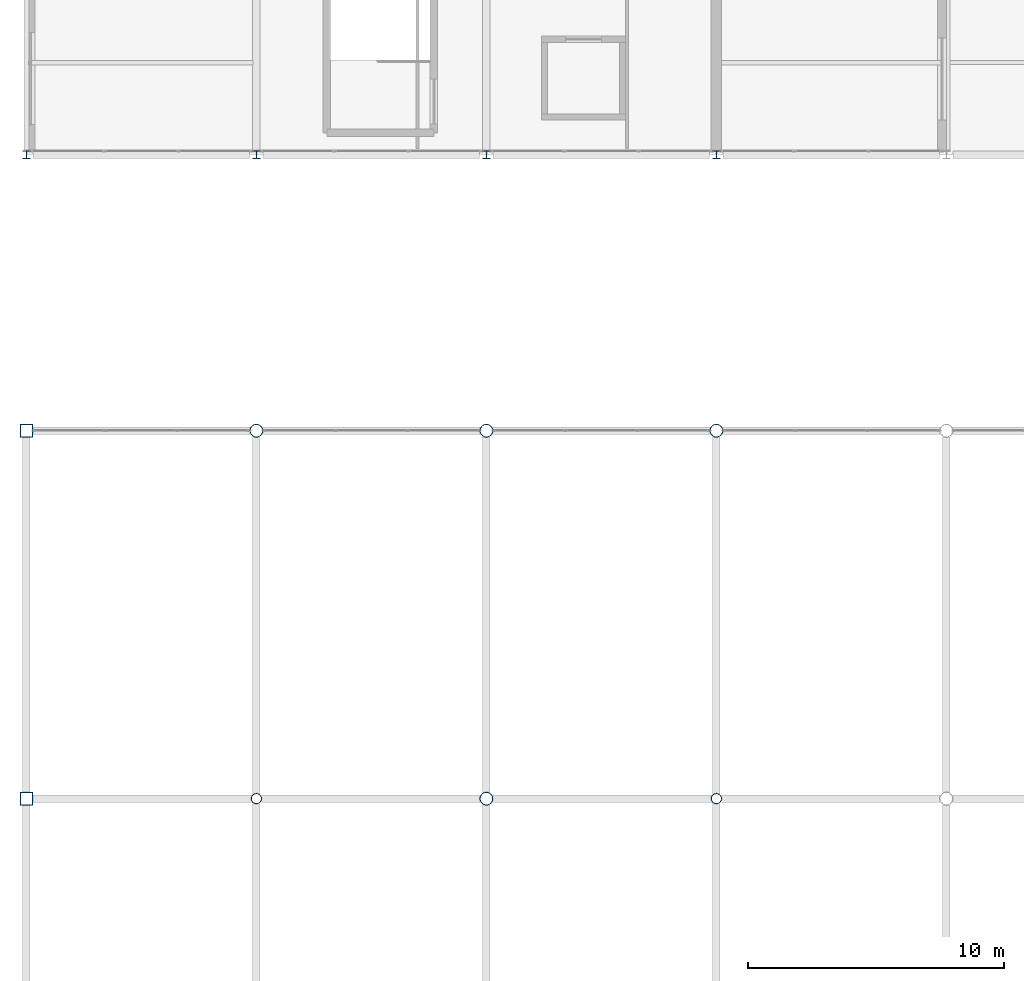
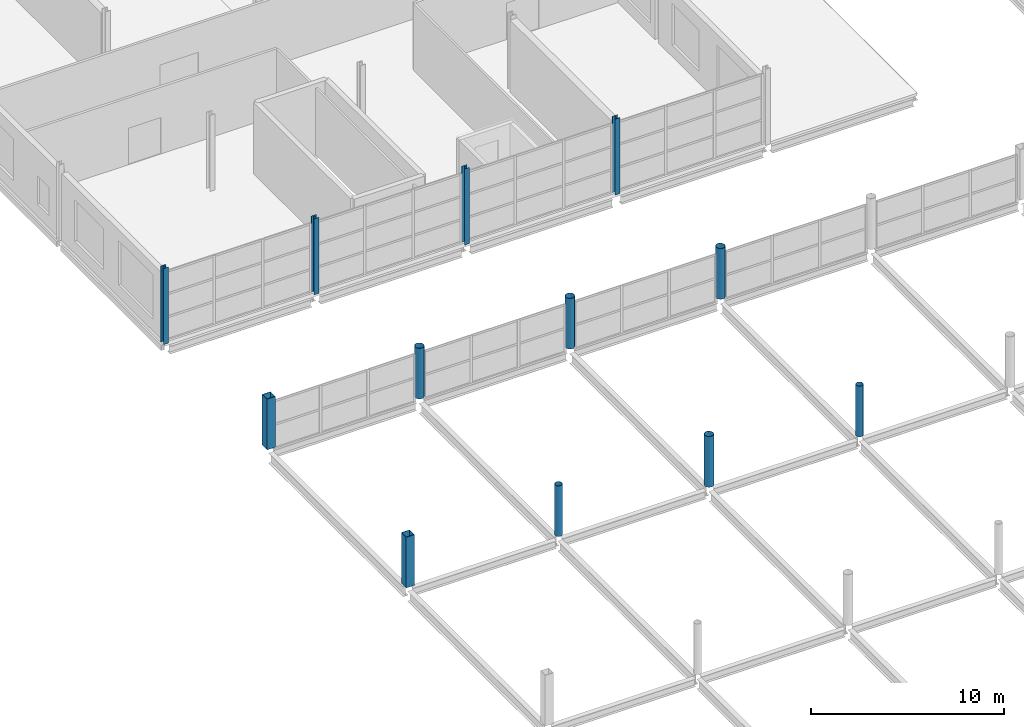
# One storey, part 7 of 134: 12 columns.
"""IFC4 building model written with IfcOpenShell, lengths in metres."""

from ifc_helpers import new_model, si_unit, direction, frame, origin, origin_2d, place, context, subcontext, project, spatial, hollow_rectangle, hollow_circle, i_section, extrude, material, material_profile, profile_set, type_object, element, save


model = new_model("IFC4")

# Units and contexts
model_context = context("Model", 3, precision=1e-05, world=origin(), true_north=direction((0.0, 1.0)))
body_context = subcontext(model_context, "Body", "Model", "MODEL_VIEW")
ifc_project = project(units=[si_unit("LENGTHUNIT", "METRE"), si_unit("AREAUNIT", "SQUARE_METRE"), si_unit("VOLUMEUNIT", "CUBIC_METRE"), si_unit("PLANEANGLEUNIT", "RADIAN"), si_unit("MASSUNIT", "GRAM", prefix="KILO")], contexts=[model_context])

# Site, building, storey
site_placement = place(None, origin())
site = spatial("IfcSite", under=ifc_project, at=site_placement, CompositionType="ELEMENT")
building_placement = place(site_placement, origin())
building = spatial("IfcBuilding", under=site, at=building_placement, Name="Tamarisk Ironworks Central Station", CompositionType="ELEMENT")
storey_placement = place(building_placement, frame((0.0, 0.0, 12.60009765625)))
storey = spatial("IfcBuildingStorey", under=building, at=storey_placement, Name="L02", CompositionType="ELEMENT", Elevation=12.60009765625)

# Columns
ifc_material_1 = material(Name="Structural steel S355J2", Category="steel")
ifc_material_profile_1 = material_profile(ifc_material_1, i_section(OverallWidth=0.300048828125, OverallDepth=0.300048828125, WebThickness=0.010986328125, FlangeThickness=0.01904296875, at=origin_2d()), Name="HEB 300")
ifc_profile_set_1 = profile_set([ifc_material_profile_1], Name="Structural steel S355J2")
column_type_1 = type_object("IfcColumnType", Name="COL-S12", PredefinedType="COLUMN", material=ifc_profile_set_1)
for number, where, z_axis, x_axis, name in (
    (1, (0.0, 90.0, 0.0), (0.0, 0.0, 1.0), (1.0, 0.0, 0.0), "L02 column V4-01H"),
    (2, (9.0, 90.0, 0.0), (0.0, 0.0, 1.0), (1.0, 0.0, 0.0), "L02 column V4-02H"),
    (3, (18.0, 90.0, 0.0), (0.0, 0.0, 1.0), (1.0, 0.0, 0.0), "L02 column V4-03H"),
    (4, (27.0, 90.0, 0.0), (0.0, 0.0, 1.0), (1.0, 0.0, 0.0), "L02 column V4-04H"),
):
    element("IfcColumn", number, at=place(storey_placement, frame(where, z_axis=z_axis, x_axis=x_axis)), inside=storey, type_object=column_type_1, Name=name, PredefinedType="COLUMN", context=body_context, shape_type="SweptSolid", body=[
        extrude(i_section(OverallWidth=0.300048828125, OverallDepth=0.300048828125, WebThickness=0.010986328125, FlangeThickness=0.01904296875, at=origin_2d()), origin(), (0.0, 0.0, 1.0), 4.7998046875),
    ])
ifc_material_2 = material(Name="Structural steel S355J2H", Category="steel")
ifc_material_profile_2 = material_profile(ifc_material_2, hollow_rectangle(XDim=0.5, YDim=0.5, WallThickness=0.02001953125, at=origin_2d()), Name="SHS 500x500x20")
ifc_profile_set_2 = profile_set([ifc_material_profile_2], Name="Structural steel S355J2H")
column_type_2 = type_object("IfcColumnType", Name="COL-S13", PredefinedType="COLUMN", material=ifc_profile_set_2)
for number, where, z_axis, x_axis, name in (
    (5, (0.0, 64.800048828125, 0.0), (0.0, 0.0, 1.0), (1.0, 0.0, 0.0), "L02 column V1-01F"),
    (6, (0.0, 79.199951171875, 0.0), (0.0, 0.0, 1.0), (1.0, 0.0, 0.0), "L02 column V1-01G"),
):
    element("IfcColumn", number, at=place(storey_placement, frame(where, z_axis=z_axis, x_axis=x_axis)), inside=storey, type_object=column_type_2, Name=name, PredefinedType="COLUMN", context=body_context, shape_type="SweptSolid", body=[
        extrude(hollow_rectangle(XDim=0.5, YDim=0.5, WallThickness=0.02001953125, at=origin_2d()), origin(), (0.0, 0.0, 1.0), 3.199951171875),
    ])
ifc_material_profile_3 = material_profile(ifc_material_2, hollow_circle(Radius=0.25390625, WallThickness=0.01611328125, at=origin_2d()), Name="CHS 508x16")
ifc_profile_set_3 = profile_set([ifc_material_profile_3], Name="Structural steel S355J2H")
column_type_3 = type_object("IfcColumnType", Name="COL-S16", PredefinedType="COLUMN", material=ifc_profile_set_3)
for number, where, z_axis, x_axis, name in (
    (7, (9.0, 79.199951171875, 0.0), (0.0, 0.0, 1.0), (1.0, 0.0, 0.0), "L02 column V1-02G"),
    (8, (18.0, 64.800048828125, 0.0), (0.0, 0.0, 1.0), (1.0, 0.0, 0.0), "L02 column V1-03F"),
    (9, (18.0, 79.199951171875, 0.0), (0.0, 0.0, 1.0), (1.0, 0.0, 0.0), "L02 column V1-03G"),
    (10, (27.0, 79.199951171875, 0.0), (0.0, 0.0, 1.0), (1.0, 0.0, 0.0), "L02 column V1-04G"),
):
    element("IfcColumn", number, at=place(storey_placement, frame(where, z_axis=z_axis, x_axis=x_axis)), inside=storey, type_object=column_type_3, Name=name, PredefinedType="COLUMN", context=body_context, shape_type="SweptSolid", body=[
        extrude(hollow_circle(Radius=0.25390625, WallThickness=0.01611328125, at=origin_2d()), origin(), (0.0, 0.0, 1.0), 3.199951171875),
    ])
ifc_material_profile_4 = material_profile(ifc_material_2, hollow_circle(Radius=0.203125, WallThickness=0.01416015625, at=origin_2d()), Name="CHS 406.4x14.2")
ifc_profile_set_4 = profile_set([ifc_material_profile_4], Name="Structural steel S355J2H")
column_type_4 = type_object("IfcColumnType", Name="COL-S17", PredefinedType="COLUMN", material=ifc_profile_set_4)
for number, where, z_axis, x_axis, name in (
    (11, (9.0, 64.800048828125, 0.0), (0.0, 0.0, 1.0), (1.0, 0.0, 0.0), "L02 column V1-02F"),
    (12, (27.0, 64.800048828125, 0.0), (0.0, 0.0, 1.0), (1.0, 0.0, 0.0), "L02 column V1-04F"),
):
    element("IfcColumn", number, at=place(storey_placement, frame(where, z_axis=z_axis, x_axis=x_axis)), inside=storey, type_object=column_type_4, Name=name, PredefinedType="COLUMN", context=body_context, shape_type="SweptSolid", body=[
        extrude(hollow_circle(Radius=0.203125, WallThickness=0.01416015625, at=origin_2d()), origin(), (0.0, 0.0, 1.0), 3.199951171875),
    ])

save(model, "model.ifc")
